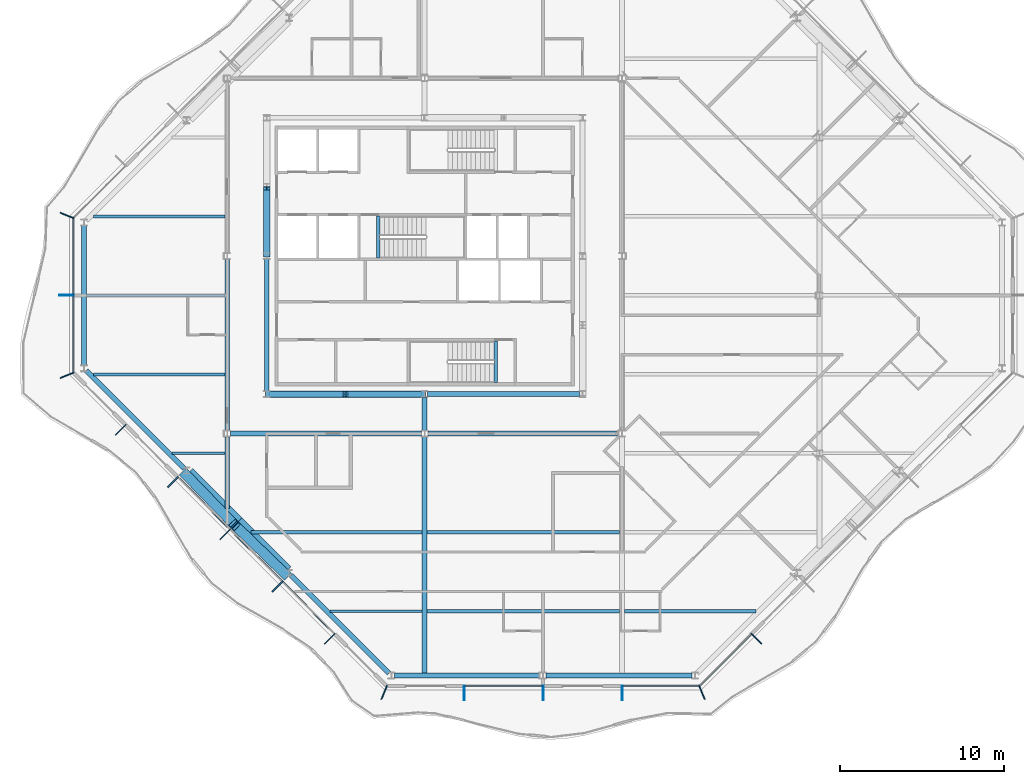
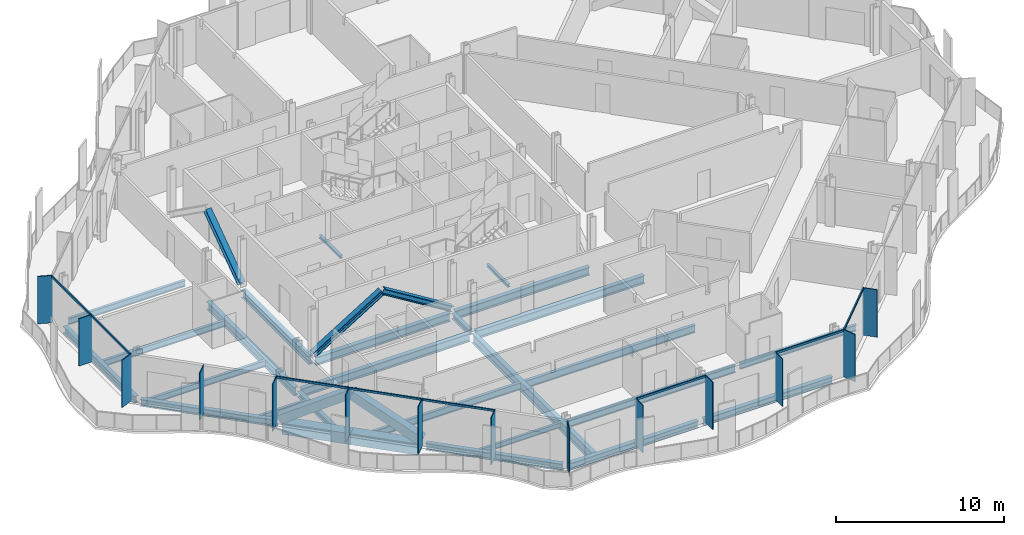
# One storey, part 3 of 17: 27 beams, 27 members, 4 elements without a shape of their own.
"""IFC4 building model written with IfcOpenShell, lengths in metres."""

import ifcopenshell
import ifcopenshell.guid

model = None  # the IFC model being written
_history = None  # IfcOwnerHistory: only IFC2X3 demands one
_inside = {}  # id of a spatial element -> (the spatial element, [elements in it])
_under = {}  # id of a project, library or spatial element -> (it, [spatial elements below it])
_declared = {}  # id of a project -> (the project, [libraries it declares])
_typed = {}  # id of a type object -> (the type object, [elements of that type])
_made_of = {}  # id of a material, layer set ... -> (it, [elements and type objects made of it])


def new_model(schema):
    """Start an empty IFC model of exactly this schema.

    Asked for "IFC4X3", IfcOpenShell would pick the latest addendum, in which some entities
    have other attributes; the version numbers below select the first issue.
    IFC2X3 requires an IfcOwnerHistory on every rooted entity: one is made here for all.
    """
    global model, _history
    if schema == "IFC4X3":
        model = ifcopenshell.file(schema_version=(4, 3, 0, 0))
    else:
        model = ifcopenshell.file(schema=schema)
    _inside.clear()
    _under.clear()
    _declared.clear()
    _typed.clear()
    _made_of.clear()
    _history = None
    if model.schema == "IFC2X3":
        org = make("IfcOrganization", Name="unknown")
        user = make(
            "IfcPersonAndOrganization",
            ThePerson=make("IfcPerson", FamilyName="unknown"),
            TheOrganization=org,
        )
        app = make(
            "IfcApplication",
            ApplicationDeveloper=org,
            Version="unknown",
            ApplicationFullName="unknown",
            ApplicationIdentifier="unknown",
        )
        _history = make(
            "IfcOwnerHistory",
            OwningUser=user,
            OwningApplication=app,
            ChangeAction="ADDED",
            CreationDate=0,
        )
    return model


def make(cls, **values):
    """One entity of the class cls with the attributes given. An attribute that is None is left unset."""
    return model.create_entity(
        cls, **{name: value for name, value in values.items() if value is not None}
    )


def rooted(cls, **values):
    """An entity with a GlobalId (a new one), such as an element, a storey or a relation."""
    return make(cls, GlobalId=ifcopenshell.guid.new(), OwnerHistory=_history, **values)


def si_unit(unit_type, name, prefix=None):
    """IfcSIUnit, for example si_unit("LENGTHUNIT", "METRE", prefix="MILLI")."""
    return make("IfcSIUnit", UnitType=unit_type, Prefix=prefix, Name=name)


def assignment(units):
    """IfcUnitAssignment: the units of a project."""
    return None if units is None else make("IfcUnitAssignment", Units=units)


def point(xyz):
    """IfcCartesianPoint."""
    return None if xyz is None else make("IfcCartesianPoint", Coordinates=xyz)


def direction(xyz):
    """IfcDirection."""
    return None if xyz is None else make("IfcDirection", DirectionRatios=xyz)


def frame(location, z_axis=None, x_axis=None):
    """IfcAxis2Placement3D, a coordinate frame: its origin and axes. An axis left out is left unset."""
    return make(
        "IfcAxis2Placement3D",
        Location=point(location),
        Axis=direction(z_axis),
        RefDirection=direction(x_axis),
    )


def frame_2d(location, x_axis=None):
    """IfcAxis2Placement2D, a coordinate frame in the plane: its origin and x axis."""
    return make(
        "IfcAxis2Placement2D", Location=point(location), RefDirection=direction(x_axis)
    )


def origin():
    """The frame at (0, 0, 0) with its axes left unset."""
    return frame((0.0, 0.0, 0.0))


def origin_2d():
    """The frame at (0, 0) in the plane with its x axis left unset."""
    return frame_2d((0.0, 0.0))


def place(relative_to, where):
    """IfcLocalPlacement: puts the frame where relative to a parent placement (None: the world)."""
    return make(
        "IfcLocalPlacement", PlacementRelTo=relative_to, RelativePlacement=where
    )


def context(
    kind, dimensions, precision=None, world=None, true_north=None, identifier=None
):
    """IfcGeometricRepresentationContext, for example the 3D "Model" context."""
    return make(
        "IfcGeometricRepresentationContext",
        ContextIdentifier=identifier,
        ContextType=kind,
        CoordinateSpaceDimension=dimensions,
        Precision=precision,
        WorldCoordinateSystem=world,
        TrueNorth=true_north,
    )


def subcontext(parent, identifier, kind, view, scale=None):
    """IfcGeometricRepresentationSubContext, for example "Body" below "Model"."""
    return make(
        "IfcGeometricRepresentationSubContext",
        ContextIdentifier=identifier,
        ContextType=kind,
        ParentContext=parent,
        TargetScale=scale,
        TargetView=view,
    )


def project(units=None, contexts=None):
    """IfcProject with its units and contexts."""
    return rooted(
        "IfcProject",
        Name="project",
        RepresentationContexts=contexts,
        UnitsInContext=assignment(units),
    )


def spatial(cls, under=None, at=None, **own):
    """A site, building, storey or space (cls), placed at a placement, below another one or the project."""
    s = rooted(cls, ObjectPlacement=at, **own)
    if under is not None:
        _under.setdefault(under.id(), (under, []))[1].append(s)
    return s


def profile(cls, at=None, kind="AREA", **sizes):
    """A parametric profile (cls). Its sizes go by their IFC names, for example OverallWidth=200.0."""
    return make(cls, ProfileType=kind, Position=at, **sizes)


def rectangle(**sizes):
    """IfcRectangleProfileDef."""
    return profile("IfcRectangleProfileDef", **sizes)


def hollow_rectangle(**sizes):
    """IfcRectangleHollowProfileDef."""
    return profile("IfcRectangleHollowProfileDef", **sizes)


def i_section(**sizes):
    """IfcIShapeProfileDef."""
    return profile("IfcIShapeProfileDef", **sizes)


def extrude(swept, where, along, depth):
    """IfcExtrudedAreaSolid: the profile swept, set in the frame where, extruded along a direction by depth."""
    return make(
        "IfcExtrudedAreaSolid",
        SweptArea=swept,
        Position=where,
        ExtrudedDirection=direction(along),
        Depth=depth,
    )


def shape(context_of_items, identifier, shape_type, items):
    """IfcShapeRepresentation: the items that make up one representation, for example the "Body"."""
    return make(
        "IfcShapeRepresentation",
        ContextOfItems=context_of_items,
        RepresentationIdentifier=identifier,
        RepresentationType=shape_type,
        Items=items,
    )


def material(Name=None, Category=None):
    """IfcMaterial."""
    return make("IfcMaterial", Name=Name, Category=Category)


def material_profile(
    of_material, cross_section, Name=None, Category=None, Priority=None
):
    """IfcMaterialProfile: a cross section and its material."""
    return make(
        "IfcMaterialProfile",
        Name=Name,
        Material=of_material,
        Profile=cross_section,
        Priority=Priority,
        Category=Category,
    )


def profile_set(profiles, Name=None, composite=None):
    """IfcMaterialProfileSet."""
    return make(
        "IfcMaterialProfileSet",
        Name=Name,
        MaterialProfiles=profiles,
        CompositeProfile=composite,
    )


def made_of(thing, what):
    """Note that an element or type object is made of a material, layer set ...; save() writes the relation."""
    if what is not None:
        _made_of.setdefault(what.id(), (what, []))[1].append(thing)
    return thing


def type_object(cls, material=None, **own):
    """A type object (cls), such as IfcWallType, which elements share."""
    return made_of(rooted(cls, **own), material)


def element(
    cls,
    number,
    at=None,
    inside=None,
    cuts=None,
    type_object=None,
    material=None,
    context=None,
    identifier="Body",
    shape_type=None,
    held_by="IfcProductDefinitionShape",
    body=None,
    shapes=None,
    **own,
):
    """One element of the class cls, such as IfcWall. Its Tag is "e" and its number.

    at: its placement. inside: the storey or other place that contains it. cuts: it is an
    opening in that element (IfcRelVoidsElement). A single representation is given by context,
    identifier, shape_type and body (its items); several are given by shapes. held_by: the class
    of the entity that holds the representations. save() writes the other relations.
    """
    e = rooted(cls, Tag="e%d" % number, ObjectPlacement=at, **own)
    if body is not None:
        shapes = [shape(context, identifier, shape_type, body)]
    if shapes is not None:
        e.Representation = make(held_by, Representations=shapes)
    if inside is not None:
        _inside.setdefault(inside.id(), (inside, []))[1].append(e)
    if cuts is not None:
        rooted(
            "IfcRelVoidsElement", RelatingBuildingElement=cuts, RelatedOpeningElement=e
        )
    if type_object is not None:
        _typed.setdefault(type_object.id(), (type_object, []))[1].append(e)
    return made_of(e, material)


def aggregate(whole, parts):
    """IfcRelAggregates: a whole, such as a stair, and the parts it consists of."""
    return rooted("IfcRelAggregates", RelatingObject=whole, RelatedObjects=parts)


def save(model, path):
    """Write the relations noted so far, then the file.

    IfcRelAggregates (storeys below a building ...), IfcRelContainedInSpatialStructure (elements
    in a storey), IfcRelDefinesByType, IfcRelAssociatesMaterial and IfcRelDeclares: one each for
    every whole, place, type object, material and project.
    """
    for whole, parts in _under.values():
        aggregate(whole, parts)
    for where, things in _inside.values():
        rooted(
            "IfcRelContainedInSpatialStructure",
            RelatedElements=things,
            RelatingStructure=where,
        )
    for kind, things in _typed.values():
        rooted("IfcRelDefinesByType", RelatedObjects=things, RelatingType=kind)
    for what, things in _made_of.values():
        rooted("IfcRelAssociatesMaterial", RelatedObjects=things, RelatingMaterial=what)
    for by, libraries in _declared.values():
        rooted("IfcRelDeclares", RelatingContext=by, RelatedDefinitions=libraries)
    model.write(path)


model = new_model("IFC4")

# Units and contexts
model_context = context("Model", 3, precision=1e-05, world=origin(), true_north=direction((0.0, 1.0)))
body_context = subcontext(model_context, "Body", "Model", "MODEL_VIEW")
ifc_project = project(units=[si_unit("LENGTHUNIT", "METRE"), si_unit("AREAUNIT", "SQUARE_METRE"), si_unit("VOLUMEUNIT", "CUBIC_METRE"), si_unit("PLANEANGLEUNIT", "RADIAN"), si_unit("MASSUNIT", "GRAM", prefix="KILO")], contexts=[model_context])

# Site, building, storey
site_placement = place(None, origin())
site = spatial("IfcSite", under=ifc_project, at=site_placement, CompositionType="ELEMENT")
building_placement = place(site_placement, origin())
building = spatial("IfcBuilding", under=site, at=building_placement, Name="Cairn Pilgrim Tower", CompositionType="ELEMENT")
storey_placement = place(building_placement, frame((0.0, 0.0, 239.39990234375)))
storey = spatial("IfcBuildingStorey", under=building, at=storey_placement, Name="L61", CompositionType="ELEMENT", Elevation=239.39990234375)

# Members
ifc_material_1 = material(Name="Structural steel S460M", Category="steel")
ifc_material_profile_1 = material_profile(ifc_material_1, hollow_rectangle(XDim=0.60009765625, YDim=0.60009765625, WallThickness=0.034912109375, at=origin_2d()), Name="BOX 600x600x35")
ifc_profile_set_1 = profile_set([ifc_material_profile_1], Name="Structural steel S460M")
member_type_1 = type_object("IfcMemberType", Name="BOX 600x600x35 BRACE", PredefinedType="BRACE", material=ifc_profile_set_1)
for number, where, z_axis, x_axis, name in (
    (1, (-7.394775390625, -10.813232421875, 0.150146484375), (0.59315674176, -0.611821665796, 0.523296597512), (0.717973624454, 0.696070308653, 0.0), "XB-SW2-SW3-1"),
    (2, (-1.213134765625, -16.99462890625, 0.150146484375), (-0.611821665796, 0.59315674176, 0.523296597512), (-0.696070308653, -0.717973624454, 0.0), "XB-SW2-SW3-2"),
):
    element("IfcMember", number, at=place(storey_placement, frame(where, z_axis=z_axis, x_axis=x_axis)), inside=storey, type_object=member_type_1, Name=name, PredefinedType="BRACE", context=body_context, shape_type="SweptSolid", body=[
        extrude(hollow_rectangle(XDim=0.60009765625, YDim=0.60009765625, WallThickness=0.034912109375, at=origin_2d()), origin(), (0.0, 0.0, 1.0), 5.035888671875),
    ])

# Beams
ifc_material_2 = material(Name="Structural steel S355J2", Category="steel")
ifc_material_profile_2 = material_profile(ifc_material_2, hollow_rectangle(XDim=0.699951171875, YDim=0.800048828125, WallThickness=0.0400390625, at=origin_2d()), Name="BOX 700x800x40")
ifc_profile_set_2 = profile_set([ifc_material_profile_2], Name="Structural steel S355J2")
beam_type_1 = type_object("IfcBeamType", Name="BOX 700x800x40 RING GIRDER", PredefinedType="SPANDREL", material=ifc_profile_set_2)
for number, where, z_axis, x_axis, name in (
    (3, (-7.147216796875, -10.780029296875, -0.5498046875), (0.707106781187, -0.707106781187, 0.0), (0.707106781187, 0.707106781187, 0.0), "RG3-SW2-SW3-1"),
    (4, (-4.16357421875, -13.763671875, -0.5498046875), (0.707106781187, -0.707106781187, 0.0), (0.707106781187, 0.707106781187, 0.0), "RG3-SW2-SW3-2"),
):
    element("IfcBeam", number, at=place(storey_placement, frame(where, z_axis=z_axis, x_axis=x_axis)), inside=storey, type_object=beam_type_1, Name=name, PredefinedType="SPANDREL", context=body_context, shape_type="SweptSolid", body=[
        extrude(hollow_rectangle(XDim=0.699951171875, YDim=0.800048828125, WallThickness=0.0400390625, at=origin_2d()), origin(), (0.0, 0.0, 1.0), 4.219482421875),
    ])

# Curtain wall, members
ifc_material_3 = material(Name="Aluminium alloy 6063-T6 bronze anodised with Bronze tinted laminated low-E glass 8+16+8.8", Category="aluminium")
curtain_wall_type_1 = type_object("IfcCurtainWallType", Name="TOWER STICK CURTAIN WALL NS", PredefinedType="NOTDEFINED", material=ifc_material_3)
curtain_wall_1_placement = place(storey_placement, origin())
curtain_wall_1 = element("IfcCurtainWall", 5, at=curtain_wall_1_placement, inside=storey, type_object=curtain_wall_type_1, Name="Tower Stick Curtain Wall Ns S", PredefinedType="NOTDEFINED")
ifc_material_4 = material(Name="Aluminium alloy 6063-T6 bronze anodised", Category="aluminium")
ifc_material_profile_3 = material_profile(ifc_material_4, rectangle(XDim=0.89990234375, YDim=0.06005859375, at=origin_2d()), Name="FIN MULLION 60x900 BRONZE")
ifc_profile_set_3 = profile_set([ifc_material_profile_3], Name="Aluminium alloy 6063-T6 bronze anodised")
member_type_2 = type_object("IfcMemberType", Name="FIN MULLION 60x900 BRONZE", PredefinedType="MULLION", material=ifc_profile_set_3)
member_1_placement = place(storey_placement, frame((4.742919921875, -24.137939453125, 0.0), z_axis=(0.0, 0.0, 1.0), x_axis=(-0.382683432365, -0.923879532511, 0.0)))
member_1 = element("IfcMember", 6, at=member_1_placement, type_object=member_type_2, Name="Fin mullion S1", PredefinedType="MULLION", context=body_context, shape_type="SweptSolid", body=[
    extrude(rectangle(XDim=0.89990234375, YDim=0.06005859375, at=origin_2d()), origin(), (0.0, 0.0, 1.0), 3.4501953125),
])
member_2_placement = place(storey_placement, frame((9.60009765625, -24.169921875, 0.0), z_axis=(0.0, 0.0, 1.0), x_axis=(0.0, -1.0, 0.0)))
member_2 = element("IfcMember", 7, at=member_2_placement, type_object=member_type_2, Name="Fin mullion S2", PredefinedType="MULLION", context=body_context, shape_type="SweptSolid", body=[
    extrude(rectangle(XDim=0.89990234375, YDim=0.06005859375, at=origin_2d()), origin(), (0.0, 0.0, 1.0), 3.4501953125),
])
member_3_placement = place(storey_placement, frame((14.39990234375, -24.169921875, 0.0), z_axis=(0.0, 0.0, 1.0), x_axis=(0.0, -1.0, 0.0)))
member_3 = element("IfcMember", 8, at=member_3_placement, type_object=member_type_2, Name="Fin mullion S3", PredefinedType="MULLION", context=body_context, shape_type="SweptSolid", body=[
    extrude(rectangle(XDim=0.89990234375, YDim=0.06005859375, at=origin_2d()), origin(), (0.0, 0.0, 1.0), 3.4501953125),
])
member_4_placement = place(storey_placement, frame((19.199951171875, -24.169921875, 0.0), z_axis=(0.0, 0.0, 1.0), x_axis=(0.0, -1.0, 0.0)))
member_4 = element("IfcMember", 9, at=member_4_placement, type_object=member_type_2, Name="Fin mullion S4", PredefinedType="MULLION", context=body_context, shape_type="SweptSolid", body=[
    extrude(rectangle(XDim=0.89990234375, YDim=0.06005859375, at=origin_2d()), origin(), (0.0, 0.0, 1.0), 3.4501953125),
])

curtain_wall_type_2 = type_object("IfcCurtainWallType", Name="CHAMFER CORNER CURTAIN WALL", PredefinedType="NOTDEFINED", material=ifc_material_3)
curtain_wall_2_placement = place(storey_placement, origin())
curtain_wall_2 = element("IfcCurtainWall", 10, at=curtain_wall_2_placement, inside=storey, type_object=curtain_wall_type_2, Name="Chamfer Corner Curtain Wall SE", PredefinedType="NOTDEFINED")
member_5_placement = place(storey_placement, frame((24.05712890625, -24.137939453125, 0.0), z_axis=(0.0, 0.0, 1.0), x_axis=(0.382683432365, -0.923879532511, 0.0)))
member_5 = element("IfcMember", 11, at=member_5_placement, type_object=member_type_2, Name="Fin mullion SE1", PredefinedType="MULLION", context=body_context, shape_type="SweptSolid", body=[
    extrude(rectangle(XDim=0.89990234375, YDim=0.06005859375, at=origin_2d()), origin(), (0.0, 0.0, 1.0), 3.4501953125),
])
member_6_placement = place(storey_placement, frame((27.369140625, -20.871337890625, 0.0), z_axis=(0.0, 0.0, 1.0), x_axis=(0.707106781187, -0.707106781187, 0.0)))
member_6 = element("IfcMember", 12, at=member_6_placement, type_object=member_type_2, Name="Fin mullion SE2", PredefinedType="MULLION", context=body_context, shape_type="SweptSolid", body=[
    extrude(rectangle(XDim=0.89990234375, YDim=0.06005859375, at=origin_2d()), origin(), (0.0, 0.0, 1.0), 3.4501953125),
])

curtain_wall_type_3 = type_object("IfcCurtainWallType", Name="TOWER STICK CURTAIN WALL EW", PredefinedType="NOTDEFINED", material=ifc_material_3)
curtain_wall_3_placement = place(storey_placement, origin())
curtain_wall_3 = element("IfcCurtainWall", 13, at=curtain_wall_3_placement, inside=storey, type_object=curtain_wall_type_3, Name="Tower Stick Curtain Wall Ew W", PredefinedType="NOTDEFINED")
member_7_placement = place(storey_placement, frame((-14.5380859375, 4.857177734375, 0.0), z_axis=(0.0, 0.0, 1.0), x_axis=(-0.923879532511, 0.382683432365, 0.0)))
member_7 = element("IfcMember", 14, at=member_7_placement, type_object=member_type_2, Name="Fin mullion W1", PredefinedType="MULLION", context=body_context, shape_type="SweptSolid", body=[
    extrude(rectangle(XDim=0.89990234375, YDim=0.06005859375, at=origin_2d()), origin(), (0.0, 0.0, 1.0), 3.4501953125),
])
member_8_placement = place(storey_placement, frame((-14.570068359375, 0.0, 0.0), z_axis=(0.0, 0.0, 1.0), x_axis=(-1.0, 0.0, 0.0)))
member_8 = element("IfcMember", 15, at=member_8_placement, type_object=member_type_2, Name="Fin mullion W2", PredefinedType="MULLION", context=body_context, shape_type="SweptSolid", body=[
    extrude(rectangle(XDim=0.89990234375, YDim=0.06005859375, at=origin_2d()), origin(), (0.0, 0.0, 1.0), 3.4501953125),
])

curtain_wall_4_placement = place(storey_placement, origin())
curtain_wall_4 = element("IfcCurtainWall", 16, at=curtain_wall_4_placement, inside=storey, type_object=curtain_wall_type_2, Name="Chamfer Corner Curtain Wall SW", PredefinedType="NOTDEFINED")
member_9_placement = place(storey_placement, frame((-14.5380859375, -4.857177734375, 0.0), z_axis=(0.0, 0.0, 1.0), x_axis=(-0.923879532511, -0.382683432365, 0.0)))
member_9 = element("IfcMember", 17, at=member_9_placement, type_object=member_type_2, Name="Fin mullion SW1", PredefinedType="MULLION", context=body_context, shape_type="SweptSolid", body=[
    extrude(rectangle(XDim=0.89990234375, YDim=0.06005859375, at=origin_2d()), origin(), (0.0, 0.0, 1.0), 3.4501953125),
])
member_10_placement = place(storey_placement, frame((-11.271484375, -8.1689453125, 0.0), z_axis=(0.0, 0.0, 1.0), x_axis=(-0.707106781187, -0.707106781187, 0.0)))
member_10 = element("IfcMember", 18, at=member_10_placement, type_object=member_type_2, Name="Fin mullion SW2", PredefinedType="MULLION", context=body_context, shape_type="SweptSolid", body=[
    extrude(rectangle(XDim=0.89990234375, YDim=0.06005859375, at=origin_2d()), origin(), (0.0, 0.0, 1.0), 3.4501953125),
])
member_11_placement = place(storey_placement, frame((-8.095703125, -11.3447265625, 0.0), z_axis=(0.0, 0.0, 1.0), x_axis=(-0.707106781187, -0.707106781187, 0.0)))
member_11 = element("IfcMember", 19, at=member_11_placement, type_object=member_type_2, Name="Fin mullion SW3", PredefinedType="MULLION", context=body_context, shape_type="SweptSolid", body=[
    extrude(rectangle(XDim=0.89990234375, YDim=0.06005859375, at=origin_2d()), origin(), (0.0, 0.0, 1.0), 3.4501953125),
])
member_12_placement = place(storey_placement, frame((-4.920166015625, -14.520263671875, 0.0), z_axis=(0.0, 0.0, 1.0), x_axis=(-0.707106781187, -0.707106781187, 0.0)))
member_12 = element("IfcMember", 20, at=member_12_placement, type_object=member_type_2, Name="Fin mullion SW4", PredefinedType="MULLION", context=body_context, shape_type="SweptSolid", body=[
    extrude(rectangle(XDim=0.89990234375, YDim=0.06005859375, at=origin_2d()), origin(), (0.0, 0.0, 1.0), 3.4501953125),
])
member_13_placement = place(storey_placement, frame((-1.74462890625, -17.69580078125, 0.0), z_axis=(0.0, 0.0, 1.0), x_axis=(-0.707106781187, -0.707106781187, 0.0)))
member_13 = element("IfcMember", 21, at=member_13_placement, type_object=member_type_2, Name="Fin mullion SW5", PredefinedType="MULLION", context=body_context, shape_type="SweptSolid", body=[
    extrude(rectangle(XDim=0.89990234375, YDim=0.06005859375, at=origin_2d()), origin(), (0.0, 0.0, 1.0), 3.4501953125),
])
member_14_placement = place(storey_placement, frame((1.430908203125, -20.871337890625, 0.0), z_axis=(0.0, 0.0, 1.0), x_axis=(-0.707106781187, -0.707106781187, 0.0)))
member_14 = element("IfcMember", 22, at=member_14_placement, type_object=member_type_2, Name="Fin mullion SW6", PredefinedType="MULLION", context=body_context, shape_type="SweptSolid", body=[
    extrude(rectangle(XDim=0.89990234375, YDim=0.06005859375, at=origin_2d()), origin(), (0.0, 0.0, 1.0), 3.4501953125),
])

# Members
ifc_material_profile_4 = material_profile(ifc_material_2, i_section(OverallWidth=0.39794921875, OverallDepth=0.386962890625, WebThickness=0.02099609375, FlangeThickness=0.033203125, FilletRadius=0.014892578125, at=origin_2d()), Name="HD 400x262")
ifc_profile_set_4 = profile_set([ifc_material_profile_4], Name="Structural steel S355J2")
member_type_3 = type_object("IfcMemberType", Name="HD 400x262 BRACE", PredefinedType="BRACE", material=ifc_profile_set_4)
for number, where, z_axis, x_axis, name in (
    (23, (-2.360107421875, -6.0, 0.10009765625), (0.85121689147, 0.0, 0.524814065814), (0.0, 1.0, 0.0), "KB-1A"),
    (24, (7.16015625, -6.0, 0.10009765625), (-0.85121689147, 0.0, 0.524814065814), (0.0, -1.0, 0.0), "KB-1B"),
):
    element("IfcMember", number, at=place(storey_placement, frame(where, z_axis=z_axis, x_axis=x_axis)), inside=storey, type_object=member_type_3, Name=name, PredefinedType="BRACE", context=body_context, shape_type="SweptSolid", body=[
        extrude(i_section(OverallWidth=0.39794921875, OverallDepth=0.386962890625, WebThickness=0.02099609375, FlangeThickness=0.033203125, FilletRadius=0.014892578125, at=origin_2d()), origin(), (0.0, 0.0, 1.0), 5.52978515625),
    ])
member_15_placement = place(storey_placement, frame((-2.39990234375, 2.439697265625, 0.10009765625), z_axis=(0.0, 0.814462005215, 0.580216892258), x_axis=(-1.0, 0.0, 0.0)))
element("IfcMember", 25, at=member_15_placement, inside=storey, type_object=member_type_3, Name="KB-4B", PredefinedType="BRACE", context=body_context, shape_type="SweptSolid", body=[
    extrude(i_section(OverallWidth=0.39794921875, OverallDepth=0.386962890625, WebThickness=0.02099609375, FlangeThickness=0.033203125, FilletRadius=0.014892578125, at=origin_2d()), origin(), (0.0, 0.0, 1.0), 4.999755859375),
])

# Beams
ifc_material_profile_5 = material_profile(ifc_material_2, i_section(OverallWidth=0.300048828125, OverallDepth=0.39990234375, WebThickness=0.013427734375, FlangeThickness=0.02392578125, FilletRadius=0.027099609375, at=origin_2d()), Name="HEB 400")
ifc_profile_set_5 = profile_set([ifc_material_profile_5], Name="Structural steel S355J2")
beam_type_2 = type_object("IfcBeamType", Name="HEB 400 GIRDER", PredefinedType="BEAM", material=ifc_profile_set_5)
beam_1_placement = place(storey_placement, frame((-4.800048828125, -12.945068359375, -0.349853515625), z_axis=(0.0, 1.0, 0.0), x_axis=(-1.0, 0.0, 0.0)))
element("IfcBeam", 26, at=beam_1_placement, inside=storey, type_object=beam_type_2, Name="PG2-1", PredefinedType="BEAM", context=body_context, shape_type="SweptSolid", body=[
    extrude(i_section(OverallWidth=0.300048828125, OverallDepth=0.39990234375, WebThickness=0.013427734375, FlangeThickness=0.02392578125, FilletRadius=0.027099609375, at=origin_2d()), origin(), (0.0, 0.0, 1.0), 4.34814453125),
])
beam_2_placement = place(storey_placement, frame((7.199951171875, -8.202880859375, -0.349853515625), z_axis=(0.0, 1.0, 0.0), x_axis=(-1.0, 0.0, 0.0)))
element("IfcBeam", 27, at=beam_2_placement, inside=storey, type_object=beam_type_2, Name="PG3-E1", PredefinedType="BEAM", context=body_context, shape_type="SweptSolid", body=[
    extrude(i_section(OverallWidth=0.300048828125, OverallDepth=0.39990234375, WebThickness=0.013427734375, FlangeThickness=0.02392578125, FilletRadius=0.027099609375, at=origin_2d()), origin(), (0.0, 0.0, 1.0), 2.00390625),
])
ifc_material_profile_6 = material_profile(ifc_material_2, i_section(OverallWidth=0.300048828125, OverallDepth=0.5, WebThickness=0.014404296875, FlangeThickness=0.028076171875, FilletRadius=0.027099609375, at=origin_2d()), Name="HEB 500")
ifc_profile_set_6 = profile_set([ifc_material_profile_6], Name="Structural steel S355J2")
beam_type_3 = type_object("IfcBeamType", Name="HEB 500 RING GIRDER", PredefinedType="SPANDREL", material=ifc_profile_set_6)
beam_3_placement = place(storey_placement, frame((5.3544921875, -23.10009765625, -0.39990234375), z_axis=(1.0, 0.0, 0.0), x_axis=(0.0, 1.0, 0.0)))
element("IfcBeam", 28, at=beam_3_placement, inside=storey, type_object=beam_type_3, Name="RG3-S1-S2", PredefinedType="SPANDREL", context=body_context, shape_type="SweptSolid", body=[
    extrude(i_section(OverallWidth=0.300048828125, OverallDepth=0.5, WebThickness=0.014404296875, FlangeThickness=0.028076171875, FilletRadius=0.027099609375, at=origin_2d()), origin(), (0.0, 0.0, 1.0), 8.86376953125),
])
beam_4_placement = place(storey_placement, frame((14.581787109375, -23.10009765625, -0.39990234375), z_axis=(1.0, 0.0, 0.0), x_axis=(0.0, 1.0, 0.0)))
element("IfcBeam", 29, at=beam_4_placement, inside=storey, type_object=beam_type_3, Name="RG3-S2-SE1", PredefinedType="SPANDREL", context=body_context, shape_type="SweptSolid", body=[
    extrude(i_section(OverallWidth=0.300048828125, OverallDepth=0.5, WebThickness=0.014404296875, FlangeThickness=0.028076171875, FilletRadius=0.027099609375, at=origin_2d()), origin(), (0.0, 0.0, 1.0), 8.863525390625),
])
beam_5_placement = place(storey_placement, frame((-13.5, 4.245361328125, -0.39990234375), z_axis=(0.0, -1.0, 0.0), x_axis=(1.0, 0.0, 0.0)))
element("IfcBeam", 30, at=beam_5_placement, inside=storey, type_object=beam_type_3, Name="RG3-W1-SW1", PredefinedType="SPANDREL", context=body_context, shape_type="SweptSolid", body=[
    extrude(i_section(OverallWidth=0.300048828125, OverallDepth=0.5, WebThickness=0.014404296875, FlangeThickness=0.028076171875, FilletRadius=0.027099609375, at=origin_2d()), origin(), (0.0, 0.0, 1.0), 8.49072265625),
])
for number, where, z_axis, x_axis, name in (
    (31, (-13.371337890625, -4.555908203125, -0.39990234375), (0.707106781187, -0.707106781187, 0.0), (0.707106781187, 0.707106781187, 0.0), "RG3-SW1-SW2"),
    (32, (-0.9228515625, -17.00439453125, -0.39990234375), (0.707106781187, -0.707106781187, 0.0), (0.707106781187, 0.707106781187, 0.0), "RG3-SW3-S1"),
):
    element("IfcBeam", number, at=place(storey_placement, frame(where, z_axis=z_axis, x_axis=x_axis)), inside=storey, type_object=beam_type_3, Name=name, PredefinedType="SPANDREL", context=body_context, shape_type="SweptSolid", body=[
        extrude(i_section(OverallWidth=0.300048828125, OverallDepth=0.5, WebThickness=0.014404296875, FlangeThickness=0.028076171875, FilletRadius=0.027099609375, at=origin_2d()), origin(), (0.0, 0.0, 1.0), 8.438720703125),
    ])
ifc_material_profile_7 = material_profile(ifc_material_2, i_section(OverallWidth=0.300048828125, OverallDepth=0.60009765625, WebThickness=0.015380859375, FlangeThickness=0.030029296875, FilletRadius=0.027099609375, at=origin_2d()), Name="HEB 600")
ifc_profile_set_7 = profile_set([ifc_material_profile_7], Name="Structural steel S355J2")
beam_type_4 = type_object("IfcBeamType", Name="HEB 600 CORE BEAM", PredefinedType="BEAM", material=ifc_profile_set_7)
beam_6_placement = place(storey_placement, frame((-2.220947265625, -6.0, -0.449951171875), z_axis=(1.0, 0.0, 0.0), x_axis=(0.0, 1.0, 0.0)))
element("IfcBeam", 33, at=beam_6_placement, inside=storey, type_object=beam_type_4, Name="CB-1", PredefinedType="BEAM", context=body_context, shape_type="SweptSolid", body=[
    extrude(i_section(OverallWidth=0.300048828125, OverallDepth=0.60009765625, WebThickness=0.015380859375, FlangeThickness=0.030029296875, FilletRadius=0.027099609375, at=origin_2d()), origin(), (0.0, 0.0, 1.0), 9.241943359375),
])
beam_7_placement = place(storey_placement, frame((7.379150390625, -6.0, -0.449951171875), z_axis=(1.0, 0.0, 0.0), x_axis=(0.0, 1.0, 0.0)))
element("IfcBeam", 34, at=beam_7_placement, inside=storey, type_object=beam_type_4, Name="CB-2", PredefinedType="BEAM", context=body_context, shape_type="SweptSolid", body=[
    extrude(i_section(OverallWidth=0.300048828125, OverallDepth=0.60009765625, WebThickness=0.015380859375, FlangeThickness=0.030029296875, FilletRadius=0.027099609375, at=origin_2d()), origin(), (0.0, 0.0, 1.0), 9.24169921875),
])
beam_8_placement = place(storey_placement, frame((-2.39990234375, 2.220947265625, -0.449951171875), z_axis=(0.0, -1.0, 0.0), x_axis=(1.0, 0.0, 0.0)))
element("IfcBeam", 35, at=beam_8_placement, inside=storey, type_object=beam_type_4, Name="CB-8", PredefinedType="BEAM", context=body_context, shape_type="SweptSolid", body=[
    extrude(i_section(OverallWidth=0.300048828125, OverallDepth=0.60009765625, WebThickness=0.015380859375, FlangeThickness=0.030029296875, FilletRadius=0.027099609375, at=origin_2d()), origin(), (0.0, 0.0, 1.0), 8.041748046875),
])
ifc_material_profile_8 = material_profile(ifc_material_2, i_section(OverallWidth=0.300048828125, OverallDepth=0.60009765625, WebThickness=0.015380859375, FlangeThickness=0.030029296875, FilletRadius=0.027099609375, at=origin_2d()), Name="HEB 600")
ifc_profile_set_8 = profile_set([ifc_material_profile_8], Name="Structural steel S355J2")
beam_type_5 = type_object("IfcBeamType", Name="HEB 600 GIRDER", PredefinedType="BEAM", material=ifc_profile_set_8)
beam_9_placement = place(storey_placement, frame((-4.800048828125, -8.202880859375, -0.449951171875), z_axis=(0.0, 1.0, 0.0), x_axis=(-1.0, 0.0, 0.0)))
element("IfcBeam", 36, at=beam_9_placement, inside=storey, type_object=beam_type_5, Name="PG2-2", PredefinedType="BEAM", context=body_context, shape_type="SweptSolid", body=[
    extrude(i_section(OverallWidth=0.300048828125, OverallDepth=0.60009765625, WebThickness=0.015380859375, FlangeThickness=0.030029296875, FilletRadius=0.027099609375, at=origin_2d()), origin(), (0.0, 0.0, 1.0), 10.40576171875),
])
ifc_material_profile_9 = material_profile(ifc_material_2, i_section(OverallWidth=0.300048828125, OverallDepth=0.60009765625, WebThickness=0.015380859375, FlangeThickness=0.030029296875, FilletRadius=0.027099609375, at=origin_2d()), Name="HEB 600")
ifc_profile_set_9 = profile_set([ifc_material_profile_9], Name="Structural steel S355J2")
beam_type_6 = type_object("IfcBeamType", Name="HEB 600 INNER GIRDER", PredefinedType="BEAM", material=ifc_profile_set_9)
for number, where, z_axis, x_axis, name in (
    (37, (-4.60302734375, -8.39990234375, -0.449951171875), (1.0, 0.0, 0.0), (0.0, 1.0, 0.0), "IG1-1"),
    (38, (7.39697265625, -8.39990234375, -0.449951171875), (1.0, 0.0, 0.0), (0.0, 1.0, 0.0), "IG1-2"),
):
    element("IfcBeam", number, at=place(storey_placement, frame(where, z_axis=z_axis, x_axis=x_axis)), inside=storey, type_object=beam_type_6, Name=name, PredefinedType="BEAM", context=body_context, shape_type="SweptSolid", body=[
        extrude(i_section(OverallWidth=0.300048828125, OverallDepth=0.60009765625, WebThickness=0.015380859375, FlangeThickness=0.030029296875, FilletRadius=0.027099609375, at=origin_2d()), origin(), (0.0, 0.0, 1.0), 11.60595703125),
    ])
ifc_material_profile_10 = material_profile(ifc_material_2, i_section(OverallWidth=0.300048828125, OverallDepth=0.699951171875, WebThickness=0.01708984375, FlangeThickness=0.031982421875, FilletRadius=0.027099609375, at=origin_2d()), Name="HEB 700")
ifc_profile_set_10 = profile_set([ifc_material_profile_10], Name="Structural steel S355J2")
beam_type_7 = type_object("IfcBeamType", Name="HEB 700 GIRDER", PredefinedType="BEAM", material=ifc_profile_set_10)
beam_10_placement = place(storey_placement, frame((7.199951171875, -22.97998046875, -0.5), z_axis=(0.0, 1.0, 0.0), x_axis=(-1.0, 0.0, 0.0)))
element("IfcBeam", 39, at=beam_10_placement, inside=storey, type_object=beam_type_7, Name="PG3-1", PredefinedType="BEAM", context=body_context, shape_type="SweptSolid", body=[
    extrude(i_section(OverallWidth=0.300048828125, OverallDepth=0.699951171875, WebThickness=0.01708984375, FlangeThickness=0.031982421875, FilletRadius=0.027099609375, at=origin_2d()), origin(), (0.0, 0.0, 1.0), 14.383056640625),
])
ifc_material_profile_11 = material_profile(ifc_material_2, i_section(OverallWidth=0.169921875, OverallDepth=0.360107421875, WebThickness=0.008056640625, FlangeThickness=0.0126953125, FilletRadius=0.01806640625, at=origin_2d()), Name="IPE 360")
ifc_profile_set_11 = profile_set([ifc_material_profile_11], Name="Structural steel S355J2")
beam_type_8 = type_object("IfcBeamType", Name="IPE 360 SECONDARY BEAM", PredefinedType="JOIST", material=ifc_profile_set_11)
beam_11_placement = place(storey_placement, frame((1.454833984375, -19.199951171875, -0.329833984375), z_axis=(1.0, 0.0, 0.0), x_axis=(0.0, 1.0, 0.0)))
element("IfcBeam", 40, at=beam_11_placement, inside=storey, type_object=beam_type_8, Name="SB1-1", PredefinedType="JOIST", context=body_context, shape_type="SweptSolid", body=[
    extrude(i_section(OverallWidth=0.169921875, OverallDepth=0.360107421875, WebThickness=0.008056640625, FlangeThickness=0.0126953125, FilletRadius=0.01806640625, at=origin_2d()), origin(), (0.0, 0.0, 1.0), 5.59521484375),
])
beam_12_placement = place(storey_placement, frame((-8.14501953125, -9.60009765625, -0.329833984375), z_axis=(1.0, 0.0, 0.0), x_axis=(0.0, 1.0, 0.0)))
element("IfcBeam", 41, at=beam_12_placement, inside=storey, type_object=beam_type_8, Name="SB3-1", PredefinedType="JOIST", context=body_context, shape_type="SweptSolid", body=[
    extrude(i_section(OverallWidth=0.169921875, OverallDepth=0.360107421875, WebThickness=0.008056640625, FlangeThickness=0.0126953125, FilletRadius=0.01806640625, at=origin_2d()), origin(), (0.0, 0.0, 1.0), 3.195068359375),
])
ifc_material_profile_12 = material_profile(ifc_material_2, i_section(OverallWidth=0.18994140625, OverallDepth=0.449951171875, WebThickness=0.009521484375, FlangeThickness=0.0146484375, FilletRadius=0.02099609375, at=origin_2d()), Name="IPE 450")
ifc_profile_set_12 = profile_set([ifc_material_profile_12], Name="Structural steel S355J2")
beam_type_9 = type_object("IfcBeamType", Name="IPE 450 SECONDARY BEAM", PredefinedType="JOIST", material=ifc_profile_set_12)
for number, where, z_axis, x_axis, name in (
    (42, (19.35009765625, -19.199951171875, -0.375), (1.0, 0.0, 0.0), (0.0, 1.0, 0.0), "SB1-3"),
    (43, (-12.945068359375, -4.800048828125, -0.375), (1.0, 0.0, 0.0), (0.0, 1.0, 0.0), "SB4-1"),
):
    element("IfcBeam", number, at=place(storey_placement, frame(where, z_axis=z_axis, x_axis=x_axis)), inside=storey, type_object=beam_type_9, Name=name, PredefinedType="JOIST", context=body_context, shape_type="SweptSolid", body=[
        extrude(i_section(OverallWidth=0.18994140625, OverallDepth=0.449951171875, WebThickness=0.009521484375, FlangeThickness=0.0146484375, FilletRadius=0.02099609375, at=origin_2d()), origin(), (0.0, 0.0, 1.0), 7.9951171875),
    ])
beam_13_placement = place(storey_placement, frame((-13.3798828125, 0.0, -0.375), z_axis=(1.0, 0.0, 0.0), x_axis=(0.0, 1.0, 0.0)))
element("IfcBeam", 44, at=beam_13_placement, inside=storey, type_object=beam_type_9, Name="SB5-1", PredefinedType="JOIST", context=body_context, shape_type="SweptSolid", body=[
    extrude(i_section(OverallWidth=0.18994140625, OverallDepth=0.449951171875, WebThickness=0.009521484375, FlangeThickness=0.0146484375, FilletRadius=0.02099609375, at=origin_2d()), origin(), (0.0, 0.0, 1.0), 8.429931640625),
])
beam_14_placement = place(storey_placement, frame((-12.945068359375, 4.800048828125, -0.375), z_axis=(1.0, 0.0, 0.0), x_axis=(0.0, 1.0, 0.0)))
element("IfcBeam", 45, at=beam_14_placement, inside=storey, type_object=beam_type_9, Name="SB6-1", PredefinedType="JOIST", context=body_context, shape_type="SweptSolid", body=[
    extrude(i_section(OverallWidth=0.18994140625, OverallDepth=0.449951171875, WebThickness=0.009521484375, FlangeThickness=0.0146484375, FilletRadius=0.02099609375, at=origin_2d()), origin(), (0.0, 0.0, 1.0), 7.9951171875),
])
ifc_material_profile_13 = material_profile(ifc_material_2, i_section(OverallWidth=0.199951171875, OverallDepth=0.5, WebThickness=0.01025390625, FlangeThickness=0.01611328125, FilletRadius=0.02099609375, at=origin_2d()), Name="IPE 500")
ifc_profile_set_13 = profile_set([ifc_material_profile_13], Name="Structural steel S355J2")
beam_type_10 = type_object("IfcBeamType", Name="IPE 500 SECONDARY BEAM", PredefinedType="JOIST", material=ifc_profile_set_13)
beam_15_placement = place(storey_placement, frame((-3.34521484375, -14.39990234375, -0.39990234375), z_axis=(1.0, 0.0, 0.0), x_axis=(0.0, 1.0, 0.0)))
element("IfcBeam", 46, at=beam_15_placement, inside=storey, type_object=beam_type_10, Name="SB2-1", PredefinedType="JOIST", context=body_context, shape_type="SweptSolid", body=[
    extrude(i_section(OverallWidth=0.199951171875, OverallDepth=0.5, WebThickness=0.01025390625, FlangeThickness=0.01611328125, FilletRadius=0.02099609375, at=origin_2d()), origin(), (0.0, 0.0, 1.0), 10.395263671875),
])
ifc_material_profile_14 = material_profile(ifc_material_2, i_section(OverallWidth=0.2099609375, OverallDepth=0.550048828125, WebThickness=0.010986328125, FlangeThickness=0.01708984375, FilletRadius=0.02392578125, at=origin_2d()), Name="IPE 550")
ifc_profile_set_14 = profile_set([ifc_material_profile_14], Name="Structural steel S355J2")
beam_type_11 = type_object("IfcBeamType", Name="IPE 550 SECONDARY BEAM", PredefinedType="JOIST", material=ifc_profile_set_14)
for number, where, z_axis, x_axis, name in (
    (47, (7.35009765625, -19.199951171875, -0.4248046875), (1.0, 0.0, 0.0), (0.0, 1.0, 0.0), "SB1-2"),
    (48, (7.35009765625, -14.39990234375, -0.4248046875), (1.0, 0.0, 0.0), (0.0, 1.0, 0.0), "SB2-2"),
):
    element("IfcBeam", number, at=place(storey_placement, frame(where, z_axis=z_axis, x_axis=x_axis)), inside=storey, type_object=beam_type_11, Name=name, PredefinedType="JOIST", context=body_context, shape_type="SweptSolid", body=[
        extrude(i_section(OverallWidth=0.2099609375, OverallDepth=0.550048828125, WebThickness=0.010986328125, FlangeThickness=0.01708984375, FilletRadius=0.02392578125, at=origin_2d()), origin(), (0.0, 0.0, 1.0), 11.699951171875),
    ])
ifc_material_profile_15 = material_profile(ifc_material_2, i_section(OverallWidth=0.199951171875, OverallDepth=0.199951171875, WebThickness=0.009033203125, FlangeThickness=0.014892578125, FilletRadius=0.01806640625, at=origin_2d()), Name="HE 200 B")
ifc_profile_set_15 = profile_set([ifc_material_profile_15], Name="Structural steel S355J2")
beam_type_12 = type_object("IfcBeamType", Name="STAIR LANDING BEAM HE 200 B", PredefinedType="BEAM", material=ifc_profile_set_15)
beam_16_placement = place(storey_placement, frame((11.5244140625, -2.77490234375, -0.25), z_axis=(0.0, -1.0, 0.0), x_axis=(1.0, 0.0, 0.0)))
element("IfcBeam", 49, at=beam_16_placement, inside=storey, type_object=beam_type_12, Name="STAIR LANDING BEAM LD-HE200B", PredefinedType="BEAM", context=body_context, shape_type="SweptSolid", body=[
    extrude(i_section(OverallWidth=0.199951171875, OverallDepth=0.199951171875, WebThickness=0.009033203125, FlangeThickness=0.014892578125, FilletRadius=0.01806640625, at=origin_2d()), origin(), (0.0, 0.0, 1.0), 2.525146484375),
])
beam_17_placement = place(storey_placement, frame((4.37548828125, 2.27490234375, -0.25), z_axis=(0.0, 1.0, 0.0), x_axis=(-1.0, 0.0, 0.0)))
element("IfcBeam", 50, at=beam_17_placement, inside=storey, type_object=beam_type_12, Name="STAIR LANDING BEAM LD-HE200B", PredefinedType="BEAM", context=body_context, shape_type="SweptSolid", body=[
    extrude(i_section(OverallWidth=0.199951171875, OverallDepth=0.199951171875, WebThickness=0.009033203125, FlangeThickness=0.014892578125, FilletRadius=0.01806640625, at=origin_2d()), origin(), (0.0, 0.0, 1.0), 2.550048828125),
])

# Member
ifc_material_profile_16 = material_profile(ifc_material_4, rectangle(XDim=0.080078125, YDim=0.14990234375, at=origin_2d()), Name="TRANSOM 80x150 BRONZE")
ifc_profile_set_16 = profile_set([ifc_material_profile_16], Name="Aluminium alloy 6063-T6 bronze anodised")
member_type_4 = type_object("IfcMemberType", Name="TRANSOM 80x150 BRONZE", PredefinedType="USERDEFINED", material=ifc_profile_set_16)
member_16_placement = place(storey_placement, frame((9.6298828125, -23.75, 3.375), z_axis=(1.0, 0.0, 0.0), x_axis=(0.0, 1.0, 0.0)))
member_16 = element("IfcMember", 51, at=member_16_placement, type_object=member_type_4, Name="Transom S2", ObjectType="TRANSOM", PredefinedType="USERDEFINED", context=body_context, shape_type="SweptSolid", body=[
    extrude(rectangle(XDim=0.080078125, YDim=0.14990234375, at=origin_2d()), origin(), (0.0, 0.0, 1.0), 4.740234375),
])

member_17_placement = place(storey_placement, frame((19.22998046875, -23.75, 3.375), z_axis=(1.0, 0.0, 0.0), x_axis=(0.0, 1.0, 0.0)))
member_17 = element("IfcMember", 52, at=member_17_placement, type_object=member_type_4, Name="Transom S4", ObjectType="TRANSOM", PredefinedType="USERDEFINED", context=body_context, shape_type="SweptSolid", body=[
    extrude(rectangle(XDim=0.080078125, YDim=0.14990234375, at=origin_2d()), origin(), (0.0, 0.0, 1.0), 4.62646484375),
])

aggregate(curtain_wall_1, [member_1, member_2, member_3, member_4, member_16, member_17])

member_18_placement = place(storey_placement, frame((23.9248046875, -23.7216796875, 3.375), z_axis=(0.707106781187, 0.707106781187, 0.0), x_axis=(-0.707106781187, 0.707106781187, 0.0)))
member_18 = element("IfcMember", 53, at=member_18_placement, type_object=member_type_4, Name="Transom SE1", ObjectType="TRANSOM", PredefinedType="USERDEFINED", context=body_context, shape_type="SweptSolid", body=[
    extrude(rectangle(XDim=0.080078125, YDim=0.14990234375, at=origin_2d()), origin(), (0.0, 0.0, 1.0), 4.4208984375),
])

aggregate(curtain_wall_2, [member_5, member_6, member_18])

member_19_placement = place(storey_placement, frame((-14.14990234375, 4.656494140625, 3.375), z_axis=(0.0, -1.0, 0.0), x_axis=(1.0, 0.0, 0.0)))
member_19 = element("IfcMember", 54, at=member_19_placement, type_object=member_type_4, Name="Transom W1", ObjectType="TRANSOM", PredefinedType="USERDEFINED", context=body_context, shape_type="SweptSolid", body=[
    extrude(rectangle(XDim=0.080078125, YDim=0.14990234375, at=origin_2d()), origin(), (0.0, 0.0, 1.0), 4.62646484375),
])

member_20_placement = place(storey_placement, frame((-14.14990234375, -0.030029296875, 3.375), z_axis=(0.0, -1.0, 0.0), x_axis=(1.0, 0.0, 0.0)))
member_20 = element("IfcMember", 55, at=member_20_placement, type_object=member_type_4, Name="Transom W2", ObjectType="TRANSOM", PredefinedType="USERDEFINED", context=body_context, shape_type="SweptSolid", body=[
    extrude(rectangle(XDim=0.080078125, YDim=0.14990234375, at=origin_2d()), origin(), (0.0, 0.0, 1.0), 4.62646484375),
])

aggregate(curtain_wall_3, [member_7, member_8, member_19, member_20])

member_21_placement = place(storey_placement, frame((-7.777587890625, -11.06884765625, 3.375), z_axis=(0.707106781187, -0.707106781187, 0.0), x_axis=(0.707106781187, 0.707106781187, 0.0)))
member_21 = element("IfcMember", 56, at=member_21_placement, type_object=member_type_4, Name="Transom SW3", ObjectType="TRANSOM", PredefinedType="USERDEFINED", context=body_context, shape_type="SweptSolid", body=[
    extrude(rectangle(XDim=0.080078125, YDim=0.14990234375, at=origin_2d()), origin(), (0.0, 0.0, 1.0), 4.430908203125),
])

member_22_placement = place(storey_placement, frame((-4.60205078125, -14.244384765625, 3.375), z_axis=(0.707106781187, -0.707106781187, 0.0), x_axis=(0.707106781187, 0.707106781187, 0.0)))
member_22 = element("IfcMember", 57, at=member_22_placement, type_object=member_type_4, Name="Transom SW4", ObjectType="TRANSOM", PredefinedType="USERDEFINED", context=body_context, shape_type="SweptSolid", body=[
    extrude(rectangle(XDim=0.080078125, YDim=0.14990234375, at=origin_2d()), origin(), (0.0, 0.0, 1.0), 4.43115234375),
])

member_23_placement = place(storey_placement, frame((-1.426513671875, -17.419921875, 3.375), z_axis=(0.707106781187, -0.707106781187, 0.0), x_axis=(0.707106781187, 0.707106781187, 0.0)))
member_23 = element("IfcMember", 58, at=member_23_placement, type_object=member_type_4, Name="Transom SW5", ObjectType="TRANSOM", PredefinedType="USERDEFINED", context=body_context, shape_type="SweptSolid", body=[
    extrude(rectangle(XDim=0.080078125, YDim=0.14990234375, at=origin_2d()), origin(), (0.0, 0.0, 1.0), 4.43115234375),
])

aggregate(curtain_wall_4, [member_9, member_10, member_11, member_12, member_13, member_14, member_21, member_22, member_23])

save(model, "model.ifc")
